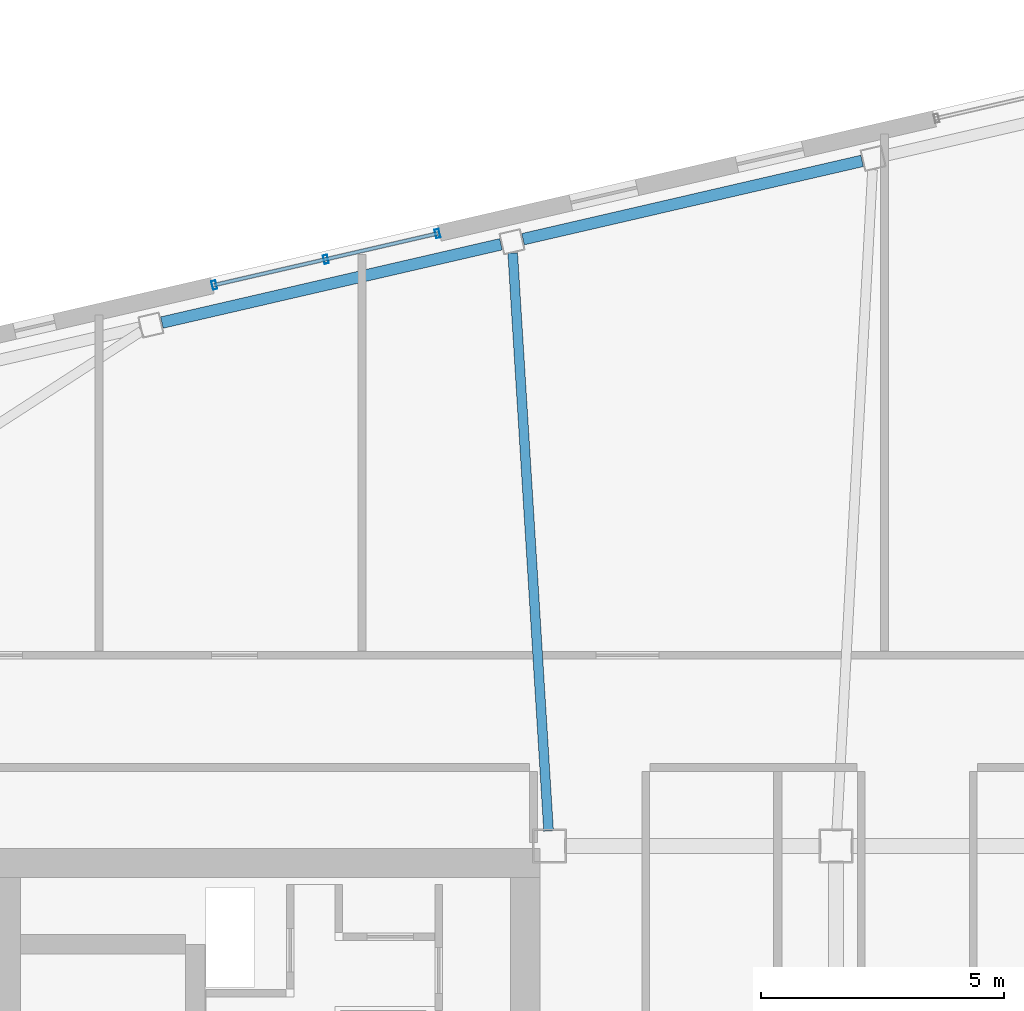
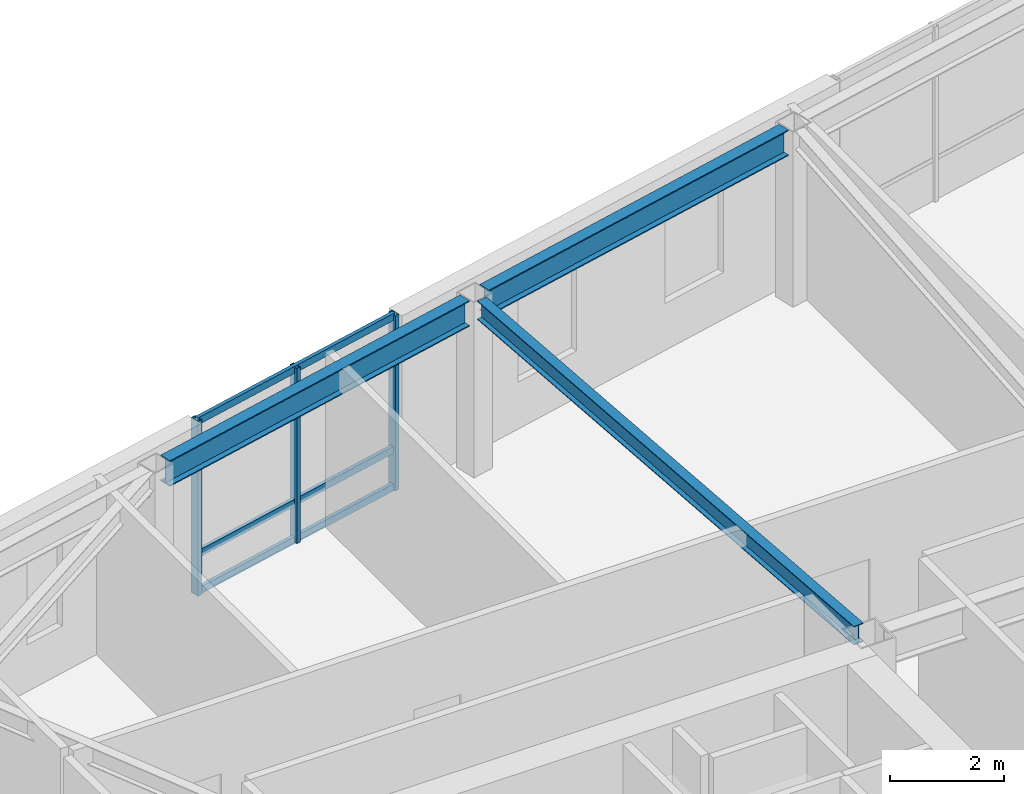
# One storey, part 12 of 23: 6 members, 3 beams, 1 element without a shape of its own.
"""IFC4 building model written with IfcOpenShell, lengths in metres."""

from ifc_helpers import new_model, si_unit, direction, frame, origin, origin_2d, place, context, subcontext, project, spatial, hollow_rectangle, i_section, extrude, material, layer, layer_set, material_profile, profile_set, type_object, element, aggregate, save


model = new_model("IFC4")

# Units and contexts
model_context = context("Model", 3, precision=1e-05, world=origin(), true_north=direction((0.0, 1.0)))
body_context = subcontext(model_context, "Body", "Model", "MODEL_VIEW")
ifc_project = project(units=[si_unit("LENGTHUNIT", "METRE"), si_unit("AREAUNIT", "SQUARE_METRE"), si_unit("VOLUMEUNIT", "CUBIC_METRE"), si_unit("PLANEANGLEUNIT", "RADIAN"), si_unit("MASSUNIT", "GRAM", prefix="KILO")], contexts=[model_context])

# Site, building, storey
site_placement = place(None, origin())
site = spatial("IfcSite", under=ifc_project, at=site_placement, CompositionType="ELEMENT")
building_placement = place(site_placement, origin())
building = spatial("IfcBuilding", under=site, at=building_placement, Name="Tavrogorsk Clinical Tower", CompositionType="ELEMENT")
storey_placement = place(building_placement, frame((0.0, 0.0, 293.0)))
storey = spatial("IfcBuildingStorey", under=building, at=storey_placement, Name="L68", CompositionType="ELEMENT", Elevation=293.0)

# Curtain wall, members
ifc_material_1 = material(Name="Anodised aluminium and triple IGU glazing", Category="aluminium")
ifc_layer = layer(ifc_material_1, 0.179931640625)
ifc_layer_set = layer_set([ifc_layer], Name="Anodised aluminium and triple IGU glazing")
curtain_wall_type = type_object("IfcCurtainWallType", Name="CW2_NorthSlot", PredefinedType="NOTDEFINED", material=ifc_layer_set)
curtain_wall_placement = place(storey_placement, origin())
curtain_wall = element("IfcCurtainWall", 1, at=curtain_wall_placement, inside=storey, type_object=curtain_wall_type, Name="L68 Curtain Wall CW-L68-N-SLOT-1", PredefinedType="NOTDEFINED")
ifc_material_2 = material(Name="Anodised aluminium alloy AW-6060", Category="aluminium")
ifc_material_profile_1 = material_profile(ifc_material_2, hollow_rectangle(XDim=0.090087890625, YDim=0.179931640625, WallThickness=0.00634765625, at=origin_2d()), Name="RHS-180x90x6.3")
ifc_profile_set_1 = profile_set([ifc_material_profile_1], Name="Anodised aluminium alloy AW-6060")
member_type_1 = type_object("IfcMemberType", Name="CwMullion_180x90", PredefinedType="MULLION", material=ifc_profile_set_1)
member_1_placement = place(storey_placement, frame((-12.608154296875, 18.9658203125, 0.0), z_axis=(0.0, 0.0, 1.0), x_axis=(-0.974370057377, -0.224951086434, 0.0)))
member_1 = element("IfcMember", 2, at=member_1_placement, type_object=member_type_1, Name="CW-L68-N-SLOT-1 Mullion 1", PredefinedType="MULLION", context=body_context, shape_type="SweptSolid", body=[
    extrude(hollow_rectangle(XDim=0.090087890625, YDim=0.179931640625, WallThickness=0.00634765625, at=origin_2d()), origin(), (0.0, 0.0, 1.0), 3.739990234375),
])
member_2_placement = place(storey_placement, frame((-14.90673828125, 18.435302734375, 0.0), z_axis=(0.0, 0.0, 1.0), x_axis=(-0.974370057377, -0.224951086434, 0.0)))
member_2 = element("IfcMember", 3, at=member_2_placement, type_object=member_type_1, Name="CW-L68-N-SLOT-1 Mullion 2", PredefinedType="MULLION", context=body_context, shape_type="SweptSolid", body=[
    extrude(hollow_rectangle(XDim=0.090087890625, YDim=0.179931640625, WallThickness=0.00634765625, at=origin_2d()), origin(), (0.0, 0.0, 1.0), 3.739990234375),
])
member_3_placement = place(storey_placement, frame((-17.205322265625, 17.904541015625, 0.0), z_axis=(0.0, 0.0, 1.0), x_axis=(-0.974370057377, -0.224951086434, 0.0)))
member_3 = element("IfcMember", 4, at=member_3_placement, type_object=member_type_1, Name="CW-L68-N-SLOT-1 Mullion 3", PredefinedType="MULLION", context=body_context, shape_type="SweptSolid", body=[
    extrude(hollow_rectangle(XDim=0.090087890625, YDim=0.179931640625, WallThickness=0.00634765625, at=origin_2d()), origin(), (0.0, 0.0, 1.0), 3.739990234375),
])
ifc_material_3 = material(Name="Anodised aluminium alloy AW-6060", Category="aluminium")
ifc_material_profile_2 = material_profile(ifc_material_3, hollow_rectangle(XDim=0.074951171875, YDim=0.14990234375, WallThickness=0.0048828125, at=origin_2d()), Name="RHS-150x75x5")
ifc_profile_set_2 = profile_set([ifc_material_profile_2], Name="Anodised aluminium alloy AW-6060")
member_type_2 = type_object("IfcMemberType", Name="CwTransom_150x75", PredefinedType="USERDEFINED", material=ifc_profile_set_2)
member_4_placement = place(storey_placement, frame((-12.608154296875, 18.9658203125, 0.050048828125), z_axis=(-0.974372877948, -0.22493886885, 0.0), x_axis=(0.22493886885, -0.974372877948, 0.0)))
member_4 = element("IfcMember", 5, at=member_4_placement, type_object=member_type_2, Name="CW-L68-N-SLOT-1 Transom 1", ObjectType="TRANSOM", PredefinedType="USERDEFINED", context=body_context, shape_type="SweptSolid", body=[
    extrude(hollow_rectangle(XDim=0.074951171875, YDim=0.14990234375, WallThickness=0.0048828125, at=origin_2d()), origin(), (0.0, 0.0, 1.0), 4.718017578125),
])
member_5_placement = place(storey_placement, frame((-12.608154296875, 18.9658203125, 0.85009765625), z_axis=(-0.974372877948, -0.22493886885, 0.0), x_axis=(0.22493886885, -0.974372877948, 0.0)))
member_5 = element("IfcMember", 6, at=member_5_placement, type_object=member_type_2, Name="CW-L68-N-SLOT-1 Transom 2", ObjectType="TRANSOM", PredefinedType="USERDEFINED", context=body_context, shape_type="SweptSolid", body=[
    extrude(hollow_rectangle(XDim=0.074951171875, YDim=0.14990234375, WallThickness=0.0048828125, at=origin_2d()), origin(), (0.0, 0.0, 1.0), 4.718017578125),
])
member_6_placement = place(storey_placement, frame((-12.608154296875, 18.9658203125, 3.68994140625), z_axis=(-0.974372877948, -0.22493886885, 0.0), x_axis=(0.22493886885, -0.974372877948, 0.0)))
member_6 = element("IfcMember", 7, at=member_6_placement, type_object=member_type_2, Name="CW-L68-N-SLOT-1 Transom 3", ObjectType="TRANSOM", PredefinedType="USERDEFINED", context=body_context, shape_type="SweptSolid", body=[
    extrude(hollow_rectangle(XDim=0.074951171875, YDim=0.14990234375, WallThickness=0.0048828125, at=origin_2d()), origin(), (0.0, 0.0, 1.0), 4.718017578125),
])
aggregate(curtain_wall, [member_1, member_2, member_3, member_4, member_5, member_6])

# Beams
ifc_material_4 = material(Name="Structural steel S355", Category="steel")
ifc_material_profile_3 = material_profile(ifc_material_4, i_section(OverallWidth=0.199951171875, OverallDepth=0.39990234375, WebThickness=0.010498046875, FlangeThickness=0.01611328125, at=origin_2d()), Name="B-400x200x10.5x16")
ifc_profile_set_3 = profile_set([ifc_material_profile_3], Name="Structural steel S355")
beam_type_1 = type_object("IfcBeamType", Name="FloorBeam_B400", PredefinedType="BEAM", material=ifc_profile_set_3)
beam_placement = place(storey_placement, frame((-10.319091796875, 6.659423828125, 3.5400390625), z_axis=(-0.06197688672, 0.998077584916, 0.0), x_axis=(-0.998077584916, -0.06197688672, 0.0)))
element("IfcBeam", 8, at=beam_placement, inside=storey, type_object=beam_type_1, Name="L68 Radial Floor Beam N5", PredefinedType="BEAM", context=body_context, shape_type="SweptSolid", body=[
    extrude(i_section(OverallWidth=0.199951171875, OverallDepth=0.39990234375, WebThickness=0.010498046875, FlangeThickness=0.01611328125, at=origin_2d()), origin(), (0.0, 0.0, 1.0), 11.927978515625),
])
ifc_material_5 = material(Name="Structural steel S390", Category="steel")
ifc_material_profile_4 = material_profile(ifc_material_5, i_section(OverallWidth=0.239990234375, OverallDepth=0.550048828125, WebThickness=0.013916015625, FlangeThickness=0.02197265625, at=origin_2d()), Name="B-550x240x14x22")
ifc_profile_set_4 = profile_set([ifc_material_profile_4], Name="Structural steel S390")
beam_type_2 = type_object("IfcBeamType", Name="SpandrelBeam_B550", PredefinedType="SPANDREL", material=ifc_profile_set_4)
for number, where, z_axis, x_axis, name in (
    (9, (-3.861328125, 20.4619140625, 3.465087890625), (-0.974367655018, -0.224961491939, 0.0), (0.224961491939, -0.974367655018, 0.0), "L68 Perimeter Spandrel N4-N5"),
    (10, (-11.2998046875, 18.74462890625, 3.465087890625), (-0.974367655018, -0.224961491939, 0.0), (0.224961491939, -0.974367655018, 0.0), "L68 Perimeter Spandrel N5-N6"),
):
    element("IfcBeam", number, at=place(storey_placement, frame(where, z_axis=z_axis, x_axis=x_axis)), inside=storey, type_object=beam_type_2, Name=name, PredefinedType="SPANDREL", context=body_context, shape_type="SweptSolid", body=[
        extrude(i_section(OverallWidth=0.239990234375, OverallDepth=0.550048828125, WebThickness=0.013916015625, FlangeThickness=0.02197265625, at=origin_2d()), origin(), (0.0, 0.0, 1.0), 7.168212890625),
    ])

save(model, "model.ifc")
